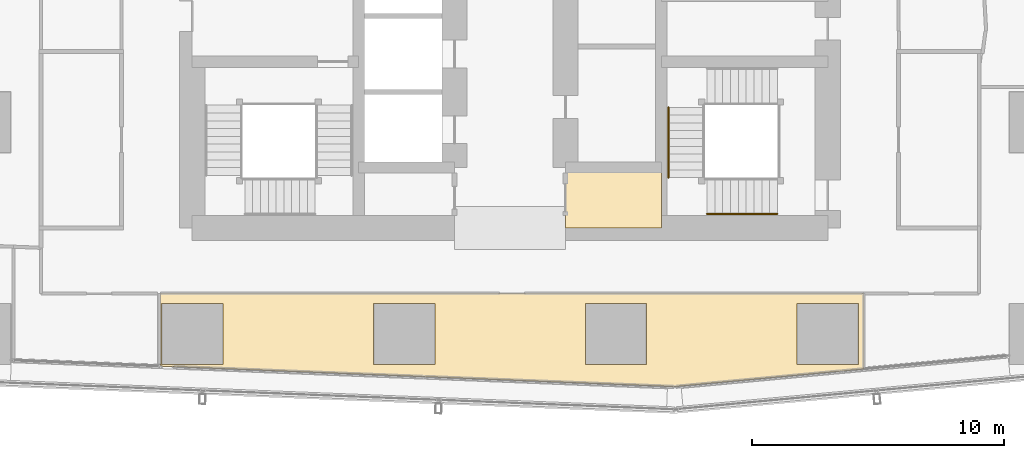
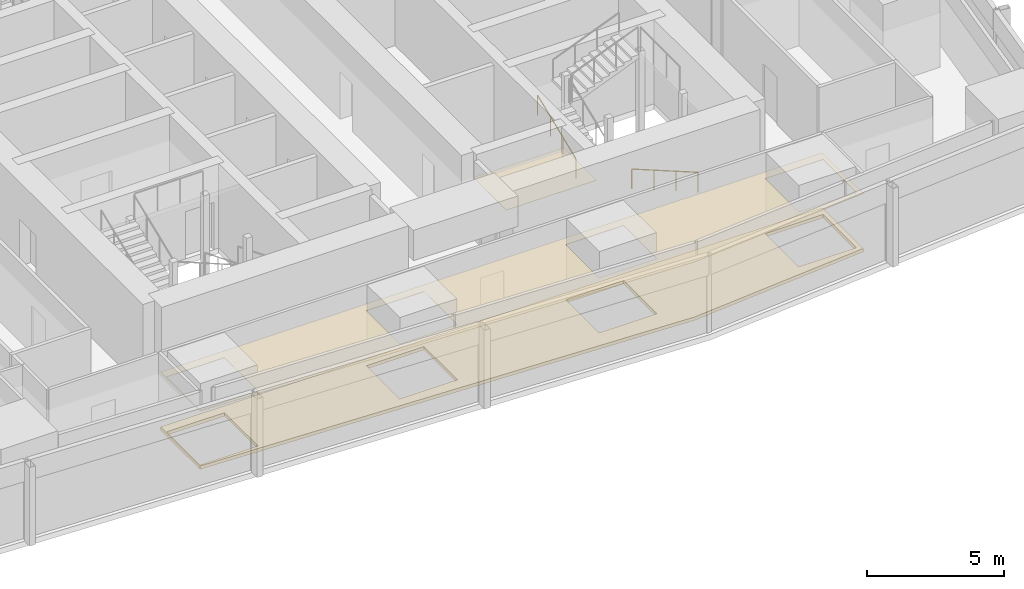
# One storey, part 34 of 37: 3 coverings, 2 railings.
"""IFC4 building model written with IfcOpenShell, lengths in metres."""

from ifc_helpers import new_model, si_unit, direction, frame, origin, origin_2d, place, context, subcontext, project, spatial, polyline, circle, outline, extrude, material, layer, layer_set, type_object, element, save


model = new_model("IFC4")

# Units and contexts
model_context = context("Model", 3, precision=1e-05, world=origin(), true_north=direction((0.0, 1.0)))
body_context = subcontext(model_context, "Body", "Model", "MODEL_VIEW")
ifc_project = project(units=[si_unit("LENGTHUNIT", "METRE"), si_unit("AREAUNIT", "SQUARE_METRE"), si_unit("VOLUMEUNIT", "CUBIC_METRE"), si_unit("PLANEANGLEUNIT", "RADIAN"), si_unit("MASSUNIT", "GRAM", prefix="KILO")], contexts=[model_context])

# Site, building, storey
site_placement = place(None, origin())
site = spatial("IfcSite", under=ifc_project, at=site_placement, CompositionType="ELEMENT")
building_placement = place(site_placement, origin())
building = spatial("IfcBuilding", under=site, at=building_placement, Name="Rekha Terrace Tower", CompositionType="ELEMENT")
storey_placement = place(building_placement, frame((0.0, 0.0, 232.699951171875)))
storey = spatial("IfcBuildingStorey", under=building, at=storey_placement, Name="L59", CompositionType="ELEMENT", Elevation=232.699951171875)

# Coverings
ifc_material_1 = material(Name="Mineral fibre tile in exposed grid", Category="finish")
ifc_layer_1 = layer(ifc_material_1, 0.02001953125)
ifc_layer_set_1 = layer_set([ifc_layer_1], Name="Mineral fibre tile in exposed grid")
covering_type_1 = type_object("IfcCoveringType", Name="CL1 600x1200 office grid ceiling", PredefinedType="CEILING", material=ifc_layer_set_1)
covering_1_placement = place(storey_placement, frame((0.0, 0.0, 2.580078125)))
element("IfcCovering", 1, at=covering_1_placement, inside=storey, type_object=covering_type_1, Name="Ceiling L59-02", PredefinedType="CEILING", context=body_context, shape_type="SweptSolid", body=[
    extrude(outline(polyline([(51.81103515625, 18.39990234375), (23.944091796875, 18.39990234375), (23.944091796875, 15.52490234375), (35.052978515625, 15.0810546875), (43.345947265625, 14.7509765625), (44.31201171875, 14.7119140625), (51.81103515625, 15.409912109375), (51.81103515625, 18.39990234375)]), holes=[polyline([(51.614990234375, 15.5849609375), (49.18505859375, 15.5849609375), (49.18505859375, 18.014892578125), (51.614990234375, 18.014892578125), (51.614990234375, 15.5849609375)]), polyline([(43.215087890625, 18.014892578125), (43.215087890625, 15.5849609375), (40.784912109375, 15.5849609375), (40.784912109375, 18.014892578125), (43.215087890625, 18.014892578125)]), polyline([(34.81494140625, 15.5849609375), (32.385009765625, 15.5849609375), (32.385009765625, 18.014892578125), (34.81494140625, 18.014892578125), (34.81494140625, 15.5849609375)]), polyline([(26.4150390625, 18.014892578125), (26.4150390625, 15.5849609375), (23.985107421875, 15.5849609375), (23.985107421875, 18.014892578125), (26.4150390625, 18.014892578125)])]), origin(), (0.0, 0.0, 1.0), 0.02001953125),
])
ifc_material_2 = material(Name="Fibre cement board", Category="finish")
ifc_layer_2 = layer(ifc_material_2, 0.014892578125)
ifc_layer_set_2 = layer_set([ifc_layer_2], Name="Fibre cement board")
covering_type_2 = type_object("IfcCoveringType", Name="CL2 moisture-resistant board ceiling", PredefinedType="CEILING", material=ifc_layer_set_2)
covering_2_placement = place(storey_placement, frame((0.0, 0.0, 2.5849609375)))
element("IfcCovering", 2, at=covering_2_placement, inside=storey, type_object=covering_type_2, Name="Ceiling L59-WCA", PredefinedType="CEILING", context=body_context, shape_type="SweptSolid", body=[
    extrude(outline(polyline([(43.800048828125, 23.39990234375), (40.0, 23.39990234375), (40.0, 21.0), (43.800048828125, 21.0), (43.800048828125, 23.39990234375)])), origin(), (0.0, 0.0, 1.0), 0.01513671875),
])

# Railings
ifc_material_3 = material(Name="Stainless steel tube", Category="steel")
railing_type = type_object("IfcRailingType", Name="HR1 900 stair handrail", PredefinedType="HANDRAIL", material=ifc_material_3)
railing_1_placement = place(storey_placement, frame((48.39990234375, 21.56005859375, 0.125)))
element("IfcRailing", 3, at=railing_1_placement, inside=storey, type_object=railing_type, Name="Handrail ST3 L59 flight 1", PredefinedType="HANDRAIL", context=body_context, shape_type="SweptSolid", body=[
    extrude(circle(Radius=0.02392578125, at=origin_2d()), frame((0.0, 0.0, 0.8759765625), z_axis=(-0.927431937212, 0.0, 0.373991980981), x_axis=(0.0, -1.0, 0.0)), (0.0, 0.0, 1.0), 3.008056640625),
    extrude(circle(Radius=0.02099609375, at=origin_2d()), origin(), (0.0, 0.0, 1.0), 0.851806640625),
    extrude(circle(Radius=0.02099609375, at=origin_2d()), frame((-0.929931640625, 0.0, 0.375)), (0.0, 0.0, 1.0), 0.851806640625),
    extrude(circle(Radius=0.02099609375, at=origin_2d()), frame((-1.85986328125, 0.0, 0.75)), (0.0, 0.0, 1.0), 0.851806640625),
    extrude(circle(Radius=0.02099609375, at=origin_2d()), frame((-2.789794921875, 0.0, 1.125)), (0.0, 0.0, 1.0), 0.851806640625),
])
railing_2_placement = place(storey_placement, frame((44.0849609375, 23.0, 1.375)))
element("IfcRailing", 4, at=railing_2_placement, inside=storey, type_object=railing_type, Name="Handrail ST3 L59 flight 2", PredefinedType="HANDRAIL", context=body_context, shape_type="SweptSolid", body=[
    extrude(circle(Radius=0.02392578125, at=origin_2d()), frame((0.0, 0.0, 0.8759765625), z_axis=(0.0, 0.927443287984, 0.373963831907), x_axis=(-1.0, 0.0, 0.0)), (0.0, 0.0, 1.0), 3.00830078125),
    extrude(circle(Radius=0.02099609375, at=origin_2d()), origin(), (0.0, 0.0, 1.0), 0.851806640625),
    extrude(circle(Radius=0.02099609375, at=origin_2d()), frame((0.0, 0.929931640625, 0.375)), (0.0, 0.0, 1.0), 0.851806640625),
    extrude(circle(Radius=0.02099609375, at=origin_2d()), frame((0.0, 1.860107421875, 0.75)), (0.0, 0.0, 1.0), 0.851806640625),
    extrude(circle(Radius=0.02099609375, at=origin_2d()), frame((0.0, 2.7900390625, 1.125)), (0.0, 0.0, 1.0), 0.851806640625),
])

# Covering
ifc_material_4 = material(Name="Calcium sulphate panels on steel pedestals", Category="steel")
ifc_layer_3 = layer(ifc_material_4, 0.14990234375)
ifc_layer_set_3 = layer_set([ifc_layer_3], Name="Calcium sulphate panels on steel pedestals")
covering_type_3 = type_object("IfcCoveringType", Name="RF1 150 raised access floor", PredefinedType="FLOORING", material=ifc_layer_set_3)
covering_3_placement = place(storey_placement, origin())
element("IfcCovering", 5, at=covering_3_placement, inside=storey, type_object=covering_type_3, Name="Raised floor L59-02", PredefinedType="FLOORING", context=body_context, shape_type="SweptSolid", body=[
    extrude(outline(polyline([(51.81103515625, 18.39990234375), (23.944091796875, 18.39990234375), (23.944091796875, 15.52490234375), (35.052978515625, 15.0810546875), (43.345947265625, 14.7509765625), (44.31201171875, 14.7119140625), (51.81103515625, 15.409912109375), (51.81103515625, 18.39990234375)]), holes=[polyline([(51.614990234375, 15.5849609375), (49.18505859375, 15.5849609375), (49.18505859375, 18.014892578125), (51.614990234375, 18.014892578125), (51.614990234375, 15.5849609375)]), polyline([(43.215087890625, 18.014892578125), (43.215087890625, 15.5849609375), (40.784912109375, 15.5849609375), (40.784912109375, 18.014892578125), (43.215087890625, 18.014892578125)]), polyline([(34.81494140625, 15.5849609375), (32.385009765625, 15.5849609375), (32.385009765625, 18.014892578125), (34.81494140625, 18.014892578125), (34.81494140625, 15.5849609375)]), polyline([(26.4150390625, 18.014892578125), (26.4150390625, 15.5849609375), (23.985107421875, 15.5849609375), (23.985107421875, 18.014892578125), (26.4150390625, 18.014892578125)])]), origin(), (0.0, 0.0, 1.0), 0.150146484375),
])

save(model, "model.ifc")
